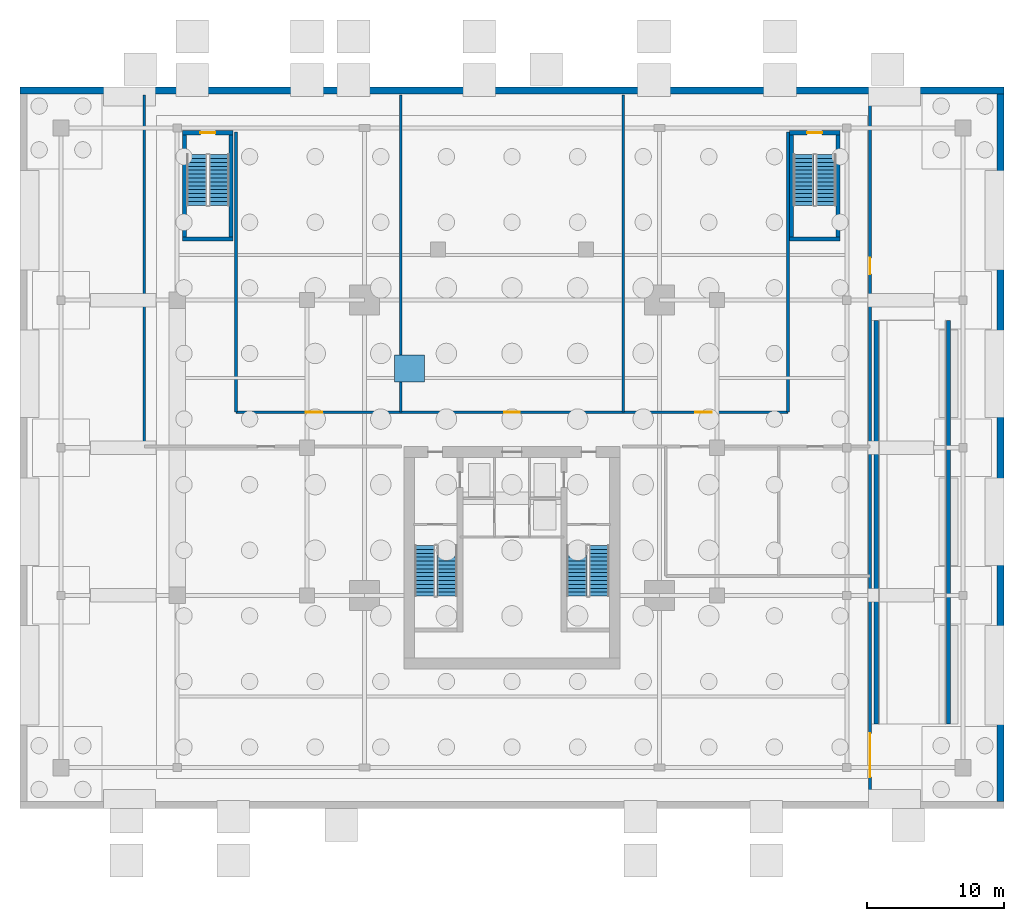
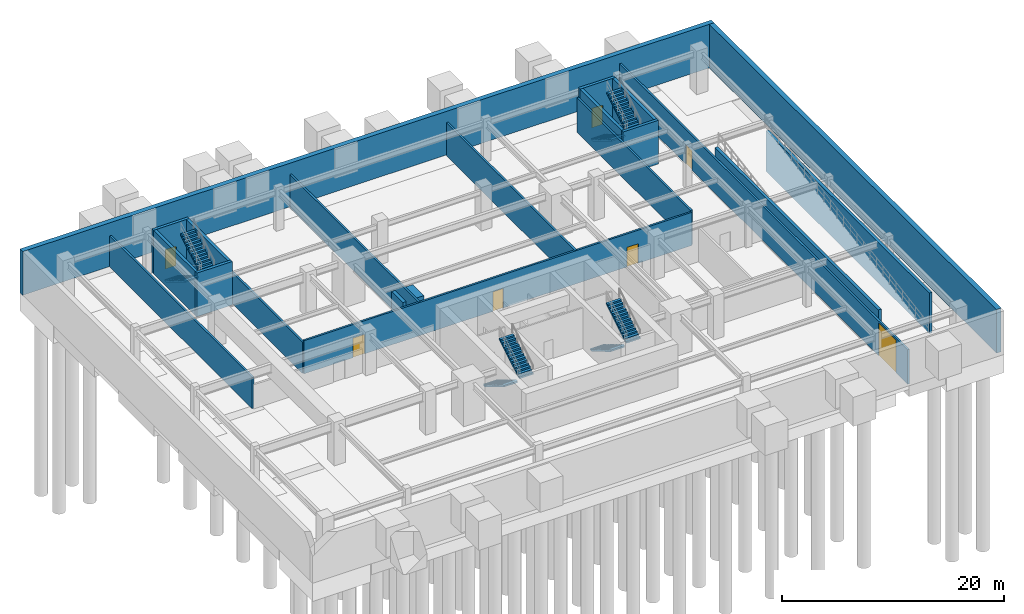
# One storey, part 5 of 9: 19 walls, 8 stair flights, 7 doors, 1 discrete accessory, 7 openings, 4 elements without a shape of their own.
"""IFC4 building model written with IfcOpenShell, lengths in metres."""

from ifc_helpers import new_model, si_unit, direction, frame, frame_2d, origin, origin_2d, place, context, subcontext, project, spatial, polyline, rectangle, outline, extrude, source, transform, mapped, material, layer, layer_set, type_object, type_shapes, element, fill, aggregate, save


model = new_model("IFC4")

# Units and contexts
model_context = context("Model", 3, precision=1e-05, world=origin(), true_north=direction((0.0, 1.0)))
body_context = subcontext(model_context, "Body", "Model", "MODEL_VIEW")
ifc_project = project(units=[si_unit("LENGTHUNIT", "METRE"), si_unit("AREAUNIT", "SQUARE_METRE"), si_unit("VOLUMEUNIT", "CUBIC_METRE"), si_unit("PLANEANGLEUNIT", "RADIAN"), si_unit("MASSUNIT", "GRAM", prefix="KILO")], contexts=[model_context])

# Site, building, storey
site_placement = place(None, origin())
site = spatial("IfcSite", under=ifc_project, at=site_placement, CompositionType="ELEMENT")
building_placement = place(site_placement, origin())
building = spatial("IfcBuilding", under=site, at=building_placement, Name="Krantzveldt Concourse Tower", CompositionType="ELEMENT")
storey_placement = place(building_placement, frame((0.0, 0.0, -4.800048828125)))
storey = spatial("IfcBuildingStorey", under=building, at=storey_placement, Name="B1", CompositionType="ELEMENT", Elevation=-4.800048828125)

# Wall, openings, doors
ifc_material_1 = material(Name="Fire-rated gypsum plasterboard on steel stud", Category="steel")
ifc_layer_1 = layer(ifc_material_1, 0.199951171875, Name="Fire-rated gypsum plasterboard on steel stud", Category="steel")
ifc_layer_set_1 = layer_set([ifc_layer_1], Name="Fire-rated gypsum plasterboard on steel stud (WL-PART-FR200)")
wall_type_1 = type_object("IfcWallType", Name="WL-PART-FR200", PredefinedType="PARTITIONING", material=ifc_layer_set_1)
wall_1_placement = place(storey_placement, frame((15.800048828125, 29.300048828125, 0.0), z_axis=(0.0, 0.0, 1.0), x_axis=(1.0, 0.0, 0.0)))
wall_1 = element("IfcWall", 1, at=wall_1_placement, inside=storey, type_object=wall_type_1, Name="WP-B1-C1", PredefinedType="PARTITIONING", context=body_context, shape_type="SweptSolid", body=[
    extrude(rectangle(XDim=40.39990234375, YDim=0.199951171875, at=frame_2d((20.199951171875, 0.0))), origin(), (0.0, 0.0, 1.0), 3.650146484375),
])
opening_1_placement = place(wall_1_placement, frame((5.10009765625, 0.0, 0.0)))
opening_1 = element("IfcOpeningElement", 2, at=opening_1_placement, cuts=wall_1, Name="Opening D-FD120", PredefinedType="OPENING", context=body_context, shape_type="SweptSolid", body=[
    extrude(rectangle(XDim=1.199951171875, YDim=2.14990234375, at=frame_2d((0.60009765625, 1.074951171875))), frame((0.0, 0.10986328125, 0.0), z_axis=(0.0, -1.0, 0.0), x_axis=(1.0, 0.0, 0.0)), (0.0, 0.0, 1.0), 0.219970703125),
])
opening_2_placement = place(wall_1_placement, frame((19.64990234375, 0.0, 0.0)))
opening_2 = element("IfcOpeningElement", 3, at=opening_2_placement, cuts=wall_1, Name="Opening D-FD110", PredefinedType="OPENING", context=body_context, shape_type="SweptSolid", body=[
    extrude(rectangle(XDim=1.10009765625, YDim=2.14990234375, at=frame_2d((0.550048828125, 1.074951171875))), frame((0.0, 0.10986328125, 0.0), z_axis=(0.0, -1.0, 0.0), x_axis=(1.0, 0.0, 0.0)), (0.0, 0.0, 1.0), 0.219970703125),
])
opening_3_placement = place(wall_1_placement, frame((33.60009765625, 0.0, 0.0)))
opening_3 = element("IfcOpeningElement", 4, at=opening_3_placement, cuts=wall_1, Name="Opening D-FD120", PredefinedType="OPENING", context=body_context, shape_type="SweptSolid", body=[
    extrude(rectangle(XDim=1.199951171875, YDim=2.14990234375, at=frame_2d((0.60009765625, 1.074951171875))), frame((0.0, 0.10986328125, 0.0), z_axis=(0.0, -1.0, 0.0), x_axis=(1.0, 0.0, 0.0)), (0.0, 0.0, 1.0), 0.219970703125),
])
ifc_material_2 = material(Name="Galvanised steel", Category="steel")
door_type_1 = type_object("IfcDoorType", Name="DR-FD120-1100", OperationType="SINGLE_SWING_LEFT", PredefinedType="DOOR", material=ifc_material_2)
door_1_placement = place(opening_2_placement, origin())
door_1 = element("IfcDoor", 5, at=door_1_placement, inside=storey, type_object=door_type_1, Name="DR-B1-CIST", OperationType="SINGLE_SWING_LEFT", OverallHeight=2.14990234375, OverallWidth=1.10009765625, PredefinedType="DOOR", context=body_context, shape_type="SweptSolid", body=[
    extrude(rectangle(XDim=1.10009765625, YDim=2.14990234375, at=frame_2d((0.550048828125, 1.074951171875))), frame((0.0, 0.02490234375, 0.0), z_axis=(0.0, -1.0, 0.0), x_axis=(1.0, 0.0, 0.0)), (0.0, 0.0, 1.0), 0.050048828125),
])
fill(opening_2, door_1)
door_type_2 = type_object("IfcDoorType", Name="DR-FD120-1200", OperationType="SINGLE_SWING_LEFT", PredefinedType="DOOR", material=ifc_material_2)
door_2_placement = place(opening_1_placement, origin())
door_2 = element("IfcDoor", 6, at=door_2_placement, inside=storey, type_object=door_type_2, Name="DR-B1-PWR", OperationType="SINGLE_SWING_RIGHT", OverallHeight=2.14990234375, OverallWidth=1.199951171875, PredefinedType="DOOR", context=body_context, shape_type="SweptSolid", body=[
    extrude(rectangle(XDim=1.199951171875, YDim=2.14990234375, at=frame_2d((0.60009765625, 1.074951171875))), frame((0.0, 0.02490234375, 0.0), z_axis=(0.0, -1.0, 0.0), x_axis=(1.0, 0.0, 0.0)), (0.0, 0.0, 1.0), 0.050048828125),
])
fill(opening_1, door_2)
door_3_placement = place(opening_3_placement, origin())
door_3 = element("IfcDoor", 7, at=door_3_placement, inside=storey, type_object=door_type_2, Name="DR-B1-SUB", OperationType="SINGLE_SWING_RIGHT", OverallHeight=2.14990234375, OverallWidth=1.199951171875, PredefinedType="DOOR", context=body_context, shape_type="SweptSolid", body=[
    extrude(rectangle(XDim=1.199951171875, YDim=2.14990234375, at=frame_2d((0.60009765625, 1.074951171875))), frame((0.0, 0.02490234375, 0.0), z_axis=(0.0, -1.0, 0.0), x_axis=(1.0, 0.0, 0.0)), (0.0, 0.0, 1.0), 0.050048828125),
])
fill(opening_3, door_3)

# Walls
wall_2_placement = place(storey_placement, frame((9.10009765625, 26.800048828125, 0.0), z_axis=(0.0, 0.0, 1.0), x_axis=(0.0, 1.0, 0.0)))
element("IfcWall", 8, at=wall_2_placement, inside=storey, type_object=wall_type_1, Name="WP-B1-WL", PredefinedType="PARTITIONING", context=body_context, shape_type="SweptSolid", body=[
    extrude(rectangle(XDim=25.699951171875, YDim=0.199951171875, at=frame_2d((12.85009765625, 0.0))), origin(), (0.0, 0.0, 1.0), 3.449951171875),
])
wall_3_placement = place(storey_placement, frame((15.800048828125, 29.300048828125, 0.0), z_axis=(0.0, 0.0, 1.0), x_axis=(0.0, 1.0, 0.0)))
element("IfcWall", 9, at=wall_3_placement, inside=storey, type_object=wall_type_1, Name="WP-B1-WR", PredefinedType="PARTITIONING", context=body_context, shape_type="SweptSolid", body=[
    extrude(rectangle(XDim=20.5, YDim=0.199951171875, at=frame_2d((10.25, 0.0))), origin(), (0.0, 0.0, 1.0), 3.449951171875),
])
wall_4_placement = place(storey_placement, frame((56.199951171875, 29.300048828125, 0.0), z_axis=(0.0, 0.0, 1.0), x_axis=(0.0, 1.0, 0.0)))
element("IfcWall", 10, at=wall_4_placement, inside=storey, type_object=wall_type_1, Name="WP-B1-EL", PredefinedType="PARTITIONING", context=body_context, shape_type="SweptSolid", body=[
    extrude(rectangle(XDim=20.5, YDim=0.199951171875, at=frame_2d((10.25, 0.0))), origin(), (0.0, 0.0, 1.0), 3.81005859375),
])

# Wall, openings, doors
wall_5_placement = place(storey_placement, frame((62.199951171875, 0.550048828125, 0.0), z_axis=(0.0, 0.0, 1.0), x_axis=(0.0, 1.0, 0.0)))
wall_5 = element("IfcWall", 11, at=wall_5_placement, inside=storey, type_object=wall_type_1, Name="WP-B1-ER", PredefinedType="PARTITIONING", context=body_context, shape_type="SweptSolid", body=[
    extrude(rectangle(XDim=51.949951171875, YDim=0.199951171875, at=frame_2d((25.97509765625, 0.0))), origin(), (0.0, 0.0, 1.0), 3.81005859375),
])
opening_4_placement = place(wall_5_placement, frame((2.050048828125, 0.0, 0.0)))
opening_4 = element("IfcOpeningElement", 12, at=opening_4_placement, cuts=wall_5, Name="Opening D-LD32", PredefinedType="OPENING", context=body_context, shape_type="SweptSolid", body=[
    extrude(rectangle(XDim=3.199951171875, YDim=3.60009765625, at=frame_2d((1.60009765625, 1.800048828125))), frame((0.0, 0.10986328125, 0.0), z_axis=(0.0, -1.0, 0.0), x_axis=(1.0, 0.0, 0.0)), (0.0, 0.0, 1.0), 0.219970703125),
])
opening_5_placement = place(wall_5_placement, frame((38.85009765625, 0.0, 0.0)))
opening_5 = element("IfcOpeningElement", 13, at=opening_5_placement, cuts=wall_5, Name="Opening D-FD120", PredefinedType="OPENING", context=body_context, shape_type="SweptSolid", body=[
    extrude(rectangle(XDim=1.199951171875, YDim=2.14990234375, at=frame_2d((0.60009765625, 1.074951171875))), frame((0.0, 0.10986328125, 0.0), z_axis=(0.0, -1.0, 0.0), x_axis=(1.0, 0.0, 0.0)), (0.0, 0.0, 1.0), 0.219970703125),
])
door_4_placement = place(opening_5_placement, origin())
door_4 = element("IfcDoor", 14, at=door_4_placement, inside=storey, type_object=door_type_2, Name="DR-B1-RAMP", OperationType="SINGLE_SWING_LEFT", OverallHeight=2.14990234375, OverallWidth=1.199951171875, PredefinedType="DOOR", context=body_context, shape_type="SweptSolid", body=[
    extrude(rectangle(XDim=1.199951171875, YDim=2.14990234375, at=frame_2d((0.60009765625, 1.074951171875))), frame((0.0, 0.02490234375, 0.0), z_axis=(0.0, -1.0, 0.0), x_axis=(1.0, 0.0, 0.0)), (0.0, 0.0, 1.0), 0.050048828125),
])
fill(opening_5, door_4)
ifc_material_3 = material(Name="Anodised aluminium 6063-T6", Category="aluminium")
door_type_3 = type_object("IfcDoorType", Name="DR-LOAD-3200", OperationType="ROLLINGUP", PredefinedType="GATE", material=ifc_material_3)
door_5_placement = place(opening_4_placement, origin())
door_5 = element("IfcDoor", 15, at=door_5_placement, inside=storey, type_object=door_type_3, Name="DR-B1-VEHGATE", OperationType="ROLLINGUP", OverallHeight=3.60009765625, OverallWidth=3.199951171875, PredefinedType="GATE", context=body_context, shape_type="SweptSolid", body=[
    extrude(rectangle(XDim=3.199951171875, YDim=3.60009765625, at=frame_2d((1.60009765625, 1.800048828125))), frame((0.0, 0.02490234375, 0.0), z_axis=(0.0, -1.0, 0.0), x_axis=(1.0, 0.0, 0.0)), (0.0, 0.0, 1.0), 0.050048828125),
])
fill(opening_4, door_5)

# Walls
for number, where, z_axis, x_axis, name in (
    (16, (27.85009765625, 29.300048828125, 0.0), (0.0, 0.0, 1.0), (0.0, 1.0, 0.0), "WP-B1-D1"),
    (17, (44.14990234375, 29.300048828125, 0.0), (0.0, 0.0, 1.0), (0.0, 1.0, 0.0), "WP-B1-D2"),
):
    element("IfcWall", number, at=place(storey_placement, frame(where, z_axis=z_axis, x_axis=x_axis)), inside=storey, type_object=wall_type_1, Name=name, PredefinedType="PARTITIONING", context=body_context, shape_type="SweptSolid", body=[
        extrude(rectangle(XDim=23.199951171875, YDim=0.199951171875, at=frame_2d((11.60009765625, 0.0))), origin(), (0.0, 0.0, 1.0), 3.650146484375),
    ])
ifc_material_4 = material(Name="Concrete C50/60", Category="concrete")
ifc_layer_2 = layer(ifc_material_4, 0.5, Name="Concrete C50/60", Category="concrete")
ifc_layer_set_2 = layer_set([ifc_layer_2], Name="Concrete C50/60 (WL-RET-500)")
wall_type_2 = type_object("IfcWallType", Name="WL-RET-500", PredefinedType="SOLIDWALL", material=ifc_layer_set_2)
wall_6_placement = place(storey_placement, frame((0.0, 52.85009765625, 0.0), z_axis=(0.0, 0.0, 1.0), x_axis=(1.0, 0.0, 0.0)))
element("IfcWall", 18, at=wall_6_placement, inside=storey, type_object=wall_type_2, Name="RW-B1-N", PredefinedType="SOLIDWALL", context=body_context, shape_type="SweptSolid", body=[
    extrude(rectangle(XDim=72.0, YDim=0.5, at=frame_2d((36.0, 0.0))), origin(), (0.0, 0.0, 1.0), 4.800048828125),
])
wall_7_placement = place(storey_placement, frame((71.75, 0.800048828125, 0.0), z_axis=(0.0, 0.0, 1.0), x_axis=(0.0, 1.0, 0.0)))
element("IfcWall", 19, at=wall_7_placement, inside=storey, type_object=wall_type_2, Name="RW-B1-E", PredefinedType="SOLIDWALL", context=body_context, shape_type="SweptSolid", body=[
    extrude(rectangle(XDim=51.800048828125, YDim=0.5, at=frame_2d((25.89990234375, 0.0))), origin(), (0.0, 0.0, 1.0), 4.800048828125),
])
ifc_layer_3 = layer(ifc_material_4, 0.300048828125, Name="Concrete C50/60", Category="concrete")
ifc_layer_set_3 = layer_set([ifc_layer_3], Name="Concrete C50/60 (WL-SHEAR-300)")
wall_type_3 = type_object("IfcWallType", Name="WL-SHEAR-300", PredefinedType="SHEAR", material=ifc_layer_set_3)
wall_8_placement = place(storey_placement, frame((11.89990234375, 41.969970703125, 0.0), z_axis=(0.0, 0.0, 1.0), x_axis=(1.0, 0.0, 0.0)))
element("IfcWall", 20, at=wall_8_placement, inside=storey, type_object=wall_type_3, Name="CW-B1-ST3-S", PredefinedType="SHEAR", context=body_context, shape_type="SweptSolid", body=[
    extrude(rectangle(XDim=3.7001953125, YDim=0.300048828125, at=frame_2d((1.85009765625, 0.0))), origin(), (0.0, 0.0, 1.0), 4.800048828125),
])

# Wall, opening, door
wall_9_placement = place(storey_placement, frame((15.60009765625, 49.75, 0.0), z_axis=(0.0, 0.0, 1.0), x_axis=(-1.0, 0.0, 0.0)))
wall_9 = element("IfcWall", 21, at=wall_9_placement, inside=storey, type_object=wall_type_3, Name="CW-B1-ST3-N", PredefinedType="SHEAR", context=body_context, shape_type="SweptSolid", body=[
    extrude(rectangle(XDim=3.7001953125, YDim=0.300048828125, at=frame_2d((1.85009765625, 0.0))), origin(), (0.0, 0.0, 1.0), 4.800048828125),
])
opening_6_placement = place(wall_9_placement, frame((1.300048828125, 0.0, 0.0)))
opening_6 = element("IfcOpeningElement", 22, at=opening_6_placement, cuts=wall_9, Name="Opening D-FD110", PredefinedType="OPENING", context=body_context, shape_type="SweptSolid", body=[
    extrude(rectangle(XDim=1.10009765625, YDim=2.14990234375, at=frame_2d((0.550048828125, 1.074951171875))), frame((0.0, 0.16015625, 0.0), z_axis=(0.0, -1.0, 0.0), x_axis=(1.0, 0.0, 0.0)), (0.0, 0.0, 1.0), 0.320068359375),
])
door_6_placement = place(opening_6_placement, origin())
door_6 = element("IfcDoor", 23, at=door_6_placement, inside=storey, type_object=door_type_1, Name="DR-B1-ST3", OperationType="SINGLE_SWING_LEFT", OverallHeight=2.14990234375, OverallWidth=1.10009765625, PredefinedType="DOOR", context=body_context, shape_type="SweptSolid", body=[
    extrude(rectangle(XDim=1.10009765625, YDim=2.14990234375, at=frame_2d((0.550048828125, 1.074951171875))), frame((0.0, 0.02490234375, 0.0), z_axis=(0.0, -1.0, 0.0), x_axis=(1.0, 0.0, 0.0)), (0.0, 0.0, 1.0), 0.050048828125),
])
fill(opening_6, door_6)

# Walls
for number, where, z_axis, x_axis, name in (
    (24, (12.050048828125, 42.1201171875, 0.0), (0.0, 0.0, 1.0), (0.0, 1.0, 0.0), "CW-B1-ST3-W"),
    (25, (15.449951171875, 42.1201171875, 0.0), (0.0, 0.0, 1.0), (0.0, 1.0, 0.0), "CW-B1-ST3-E"),
):
    element("IfcWall", number, at=place(storey_placement, frame(where, z_axis=z_axis, x_axis=x_axis)), inside=storey, type_object=wall_type_3, Name=name, PredefinedType="SHEAR", context=body_context, shape_type="SweptSolid", body=[
        extrude(rectangle(XDim=7.47998046875, YDim=0.300048828125, at=frame_2d((3.739990234375, 0.0))), origin(), (0.0, 0.0, 1.0), 4.800048828125),
    ])
wall_10_placement = place(storey_placement, frame((56.300048828125, 41.969970703125, 0.0), z_axis=(0.0, 0.0, 1.0), x_axis=(1.0, 0.0, 0.0)))
element("IfcWall", 26, at=wall_10_placement, inside=storey, type_object=wall_type_3, Name="CW-B1-ST4-S", PredefinedType="SHEAR", context=body_context, shape_type="SweptSolid", body=[
    extrude(rectangle(XDim=3.699951171875, YDim=0.300048828125, at=frame_2d((1.85009765625, 0.0))), origin(), (0.0, 0.0, 1.0), 4.800048828125),
])

# Wall, opening, door
wall_11_placement = place(storey_placement, frame((60.0, 49.75, 0.0), z_axis=(0.0, 0.0, 1.0), x_axis=(-1.0, 0.0, 0.0)))
wall_11 = element("IfcWall", 27, at=wall_11_placement, inside=storey, type_object=wall_type_3, Name="CW-B1-ST4-N", PredefinedType="SHEAR", context=body_context, shape_type="SweptSolid", body=[
    extrude(rectangle(XDim=3.699951171875, YDim=0.300048828125, at=frame_2d((1.85009765625, 0.0))), origin(), (0.0, 0.0, 1.0), 4.800048828125),
])
opening_7_placement = place(wall_11_placement, frame((1.300048828125, 0.0, 0.0)))
opening_7 = element("IfcOpeningElement", 28, at=opening_7_placement, cuts=wall_11, Name="Opening D-FD110", PredefinedType="OPENING", context=body_context, shape_type="SweptSolid", body=[
    extrude(rectangle(XDim=1.10009765625, YDim=2.14990234375, at=frame_2d((0.550048828125, 1.074951171875))), frame((0.0, 0.16015625, 0.0), z_axis=(0.0, -1.0, 0.0), x_axis=(1.0, 0.0, 0.0)), (0.0, 0.0, 1.0), 0.320068359375),
])
door_7_placement = place(opening_7_placement, origin())
door_7 = element("IfcDoor", 29, at=door_7_placement, inside=storey, type_object=door_type_1, Name="DR-B1-ST4", OperationType="SINGLE_SWING_LEFT", OverallHeight=2.14990234375, OverallWidth=1.10009765625, PredefinedType="DOOR", context=body_context, shape_type="SweptSolid", body=[
    extrude(rectangle(XDim=1.10009765625, YDim=2.14990234375, at=frame_2d((0.550048828125, 1.074951171875))), frame((0.0, 0.02490234375, 0.0), z_axis=(0.0, -1.0, 0.0), x_axis=(1.0, 0.0, 0.0)), (0.0, 0.0, 1.0), 0.050048828125),
])
fill(opening_7, door_7)

# Walls
for number, where, z_axis, x_axis, name in (
    (30, (56.449951171875, 42.1201171875, 0.0), (0.0, 0.0, 1.0), (0.0, 1.0, 0.0), "CW-B1-ST4-W"),
    (31, (59.85009765625, 42.1201171875, 0.0), (0.0, 0.0, 1.0), (0.0, 1.0, 0.0), "CW-B1-ST4-E"),
):
    element("IfcWall", number, at=place(storey_placement, frame(where, z_axis=z_axis, x_axis=x_axis)), inside=storey, type_object=wall_type_3, Name=name, PredefinedType="SHEAR", context=body_context, shape_type="SweptSolid", body=[
        extrude(rectangle(XDim=7.47998046875, YDim=0.300048828125, at=frame_2d((3.739990234375, 0.0))), origin(), (0.0, 0.0, 1.0), 4.800048828125),
    ])
for number, where, z_axis, x_axis, name in (
    (32, (62.64990234375, 6.5, 0.0), (0.0, 0.0, 1.0), (0.0, 1.0, 0.0), "Basement Vehicle Ramp Support Wall West"),
    (33, (67.949951171875, 6.5, 0.0), (0.0, 0.0, 1.0), (0.0, 1.0, 0.0), "Basement Vehicle Ramp Support Wall East"),
):
    element("IfcWall", number, at=place(storey_placement, frame(where, z_axis=z_axis, x_axis=x_axis)), inside=storey, type_object=wall_type_3, Name=name, PredefinedType="SHEAR", context=body_context, shape_type="SweptSolid", body=[
        extrude(rectangle(XDim=29.5, YDim=0.300048828125, at=frame_2d((14.75, 0.0))), origin(), (0.0, 0.0, 1.0), 4.449951171875),
    ])

# Stair, stair flights
ifc_material_5 = material(Name="Precast concrete C40/50", Category="concrete")
stair_type = type_object("IfcStairType", Name="STR-CORE-DOGLEG", PredefinedType="HALF_TURN_STAIR", material=ifc_material_5)
stair_1_placement = place(storey_placement, origin())
stair_1 = element("IfcStair", 34, at=stair_1_placement, inside=storey, type_object=stair_type, Name="B1 Protected Escape Stair ST-1", PredefinedType="HALF_TURN_STAIR")
stair_flight_type = type_object("IfcStairFlightType", Name="STF-CORE-1450", PredefinedType="STRAIGHT", material=ifc_material_5)
stair_flight_1_placement = place(storey_placement, frame((29.60498046875, 19.550048828125, 0.0), z_axis=(0.0, 0.0, 1.0), x_axis=(0.0, -1.0, 0.0)))
stair_flight_1 = element("IfcStairFlight", 35, at=stair_flight_1_placement, type_object=stair_flight_type, Name="ST-1 flight 1", NumberOfRisers=14, NumberOfTreads=13, PredefinedType="STRAIGHT", RiserHeight=0.171428571, TreadLength=0.285, context=body_context, shape_type="SweptSolid", body=[
    extrude(outline(polyline([(0.0, 0.0), (0.0, 0.17138671875), (0.284912109375, 0.17138671875), (0.284912109375, 0.3427734375), (0.570068359375, 0.3427734375), (0.570068359375, 0.514404296875), (0.85498046875, 0.514404296875), (0.85498046875, 0.685791015625), (1.139892578125, 0.685791015625), (1.139892578125, 0.857177734375), (1.425048828125, 0.857177734375), (1.425048828125, 1.028564453125), (1.7099609375, 1.028564453125), (1.7099609375, 1.199951171875), (1.9951171875, 1.199951171875), (1.9951171875, 1.371337890625), (2.280029296875, 1.371337890625), (2.280029296875, 1.54296875), (2.56494140625, 1.54296875), (2.56494140625, 1.71435546875), (2.85009765625, 1.71435546875), (2.85009765625, 1.8857421875), (3.135009765625, 1.8857421875), (3.135009765625, 2.05712890625), (3.419921875, 2.05712890625), (3.419921875, 2.228515625), (3.705078125, 2.228515625), (3.705078125, 2.39990234375), (3.705078125, 2.0537109375), (0.290771484375, 0.0), (0.0, 0.0)])), frame((0.0, 0.72509765625, 0.0), z_axis=(0.0, -1.0, 0.0), x_axis=(1.0, 0.0, 0.0)), (0.0, 0.0, 1.0), 1.449951171875),
])
stair_flight_2_placement = place(storey_placement, frame((31.2548828125, 15.844970703125, 2.400146484375), z_axis=(0.0, 0.0, 1.0), x_axis=(0.0, 1.0, 0.0)))
stair_flight_2 = element("IfcStairFlight", 36, at=stair_flight_2_placement, type_object=stair_flight_type, Name="ST-1 flight 2", NumberOfRisers=14, NumberOfTreads=13, PredefinedType="STRAIGHT", RiserHeight=0.171428571, TreadLength=0.285, context=body_context, shape_type="SweptSolid", body=[
    extrude(outline(polyline([(0.0, 0.0), (0.0, 0.17138671875), (0.284912109375, 0.17138671875), (0.284912109375, 0.3427734375), (0.570068359375, 0.3427734375), (0.570068359375, 0.514404296875), (0.85498046875, 0.514404296875), (0.85498046875, 0.685791015625), (1.139892578125, 0.685791015625), (1.139892578125, 0.857177734375), (1.425048828125, 0.857177734375), (1.425048828125, 1.028564453125), (1.7099609375, 1.028564453125), (1.7099609375, 1.199951171875), (1.9951171875, 1.199951171875), (1.9951171875, 1.371337890625), (2.280029296875, 1.371337890625), (2.280029296875, 1.54296875), (2.56494140625, 1.54296875), (2.56494140625, 1.71435546875), (2.85009765625, 1.71435546875), (2.85009765625, 1.8857421875), (3.135009765625, 1.8857421875), (3.135009765625, 2.05712890625), (3.419921875, 2.05712890625), (3.419921875, 2.228515625), (3.705078125, 2.228515625), (3.705078125, 2.39990234375), (3.705078125, 2.0537109375), (0.290771484375, 0.0), (0.0, 0.0)])), frame((0.0, 0.72509765625, 0.0), z_axis=(0.0, -1.0, 0.0), x_axis=(1.0, 0.0, 0.0)), (0.0, 0.0, 1.0), 1.449951171875),
])
aggregate(stair_1, [stair_flight_1, stair_flight_2])

stair_2_placement = place(storey_placement, origin())
stair_2 = element("IfcStair", 37, at=stair_2_placement, inside=storey, type_object=stair_type, Name="B1 Protected Escape Stair ST-2", PredefinedType="HALF_TURN_STAIR")
stair_flight_3_placement = place(storey_placement, frame((40.7451171875, 19.550048828125, 0.0), z_axis=(0.0, 0.0, 1.0), x_axis=(0.0, -1.0, 0.0)))
stair_flight_3 = element("IfcStairFlight", 38, at=stair_flight_3_placement, type_object=stair_flight_type, Name="ST-2 flight 1", NumberOfRisers=14, NumberOfTreads=13, PredefinedType="STRAIGHT", RiserHeight=0.171428571, TreadLength=0.285, context=body_context, shape_type="SweptSolid", body=[
    extrude(outline(polyline([(0.0, 0.0), (0.0, 0.17138671875), (0.284912109375, 0.17138671875), (0.284912109375, 0.3427734375), (0.570068359375, 0.3427734375), (0.570068359375, 0.514404296875), (0.85498046875, 0.514404296875), (0.85498046875, 0.685791015625), (1.139892578125, 0.685791015625), (1.139892578125, 0.857177734375), (1.425048828125, 0.857177734375), (1.425048828125, 1.028564453125), (1.7099609375, 1.028564453125), (1.7099609375, 1.199951171875), (1.9951171875, 1.199951171875), (1.9951171875, 1.371337890625), (2.280029296875, 1.371337890625), (2.280029296875, 1.54296875), (2.56494140625, 1.54296875), (2.56494140625, 1.71435546875), (2.85009765625, 1.71435546875), (2.85009765625, 1.8857421875), (3.135009765625, 1.8857421875), (3.135009765625, 2.05712890625), (3.419921875, 2.05712890625), (3.419921875, 2.228515625), (3.705078125, 2.228515625), (3.705078125, 2.39990234375), (3.705078125, 2.0537109375), (0.290771484375, 0.0), (0.0, 0.0)])), frame((0.0, 0.72509765625, 0.0), z_axis=(0.0, -1.0, 0.0), x_axis=(1.0, 0.0, 0.0)), (0.0, 0.0, 1.0), 1.449951171875),
])
stair_flight_4_placement = place(storey_placement, frame((42.39501953125, 15.844970703125, 2.400146484375), z_axis=(0.0, 0.0, 1.0), x_axis=(0.0, 1.0, 0.0)))
stair_flight_4 = element("IfcStairFlight", 39, at=stair_flight_4_placement, type_object=stair_flight_type, Name="ST-2 flight 2", NumberOfRisers=14, NumberOfTreads=13, PredefinedType="STRAIGHT", RiserHeight=0.171428571, TreadLength=0.285, context=body_context, shape_type="SweptSolid", body=[
    extrude(outline(polyline([(0.0, 0.0), (0.0, 0.17138671875), (0.284912109375, 0.17138671875), (0.284912109375, 0.3427734375), (0.570068359375, 0.3427734375), (0.570068359375, 0.514404296875), (0.85498046875, 0.514404296875), (0.85498046875, 0.685791015625), (1.139892578125, 0.685791015625), (1.139892578125, 0.857177734375), (1.425048828125, 0.857177734375), (1.425048828125, 1.028564453125), (1.7099609375, 1.028564453125), (1.7099609375, 1.199951171875), (1.9951171875, 1.199951171875), (1.9951171875, 1.371337890625), (2.280029296875, 1.371337890625), (2.280029296875, 1.54296875), (2.56494140625, 1.54296875), (2.56494140625, 1.71435546875), (2.85009765625, 1.71435546875), (2.85009765625, 1.8857421875), (3.135009765625, 1.8857421875), (3.135009765625, 2.05712890625), (3.419921875, 2.05712890625), (3.419921875, 2.228515625), (3.705078125, 2.228515625), (3.705078125, 2.39990234375), (3.705078125, 2.0537109375), (0.290771484375, 0.0), (0.0, 0.0)])), frame((0.0, 0.72509765625, 0.0), z_axis=(0.0, -1.0, 0.0), x_axis=(1.0, 0.0, 0.0)), (0.0, 0.0, 1.0), 1.449951171875),
])
aggregate(stair_2, [stair_flight_3, stair_flight_4])

stair_3_placement = place(storey_placement, origin())
stair_3 = element("IfcStair", 40, at=stair_3_placement, inside=storey, type_object=stair_type, Name="B1 Podium Escape Stair ST-3", PredefinedType="HALF_TURN_STAIR")
stair_flight_5_placement = place(storey_placement, frame((12.925048828125, 48.14990234375, 0.0), z_axis=(0.0, 0.0, 1.0), x_axis=(0.0, -1.0, 0.0)))
stair_flight_5 = element("IfcStairFlight", 41, at=stair_flight_5_placement, type_object=stair_flight_type, Name="ST-3 flight 1", NumberOfRisers=14, NumberOfTreads=13, PredefinedType="STRAIGHT", RiserHeight=0.171428571, TreadLength=0.285, context=body_context, shape_type="SweptSolid", body=[
    extrude(outline(polyline([(0.0, 0.0), (0.0, 0.17138671875), (0.284912109375, 0.17138671875), (0.284912109375, 0.3427734375), (0.570068359375, 0.3427734375), (0.570068359375, 0.514404296875), (0.85498046875, 0.514404296875), (0.85498046875, 0.685791015625), (1.139892578125, 0.685791015625), (1.139892578125, 0.857177734375), (1.425048828125, 0.857177734375), (1.425048828125, 1.028564453125), (1.7099609375, 1.028564453125), (1.7099609375, 1.199951171875), (1.9951171875, 1.199951171875), (1.9951171875, 1.371337890625), (2.280029296875, 1.371337890625), (2.280029296875, 1.54296875), (2.56494140625, 1.54296875), (2.56494140625, 1.71435546875), (2.85009765625, 1.71435546875), (2.85009765625, 1.8857421875), (3.135009765625, 1.8857421875), (3.135009765625, 2.05712890625), (3.419921875, 2.05712890625), (3.419921875, 2.228515625), (3.705078125, 2.228515625), (3.705078125, 2.39990234375), (3.705078125, 2.0537109375), (0.290771484375, 0.0), (0.0, 0.0)])), frame((0.0, 0.72509765625, 0.0), z_axis=(0.0, -1.0, 0.0), x_axis=(1.0, 0.0, 0.0)), (0.0, 0.0, 1.0), 1.449951171875),
])
stair_flight_6_placement = place(storey_placement, frame((14.574951171875, 44.445068359375, 2.400146484375), z_axis=(0.0, 0.0, 1.0), x_axis=(0.0, 1.0, 0.0)))
stair_flight_6 = element("IfcStairFlight", 42, at=stair_flight_6_placement, type_object=stair_flight_type, Name="ST-3 flight 2", NumberOfRisers=14, NumberOfTreads=13, PredefinedType="STRAIGHT", RiserHeight=0.171428571, TreadLength=0.285, context=body_context, shape_type="SweptSolid", body=[
    extrude(outline(polyline([(0.0, 0.0), (0.0, 0.17138671875), (0.284912109375, 0.17138671875), (0.284912109375, 0.3427734375), (0.570068359375, 0.3427734375), (0.570068359375, 0.514404296875), (0.85498046875, 0.514404296875), (0.85498046875, 0.685791015625), (1.139892578125, 0.685791015625), (1.139892578125, 0.857177734375), (1.425048828125, 0.857177734375), (1.425048828125, 1.028564453125), (1.7099609375, 1.028564453125), (1.7099609375, 1.199951171875), (1.9951171875, 1.199951171875), (1.9951171875, 1.371337890625), (2.280029296875, 1.371337890625), (2.280029296875, 1.54296875), (2.56494140625, 1.54296875), (2.56494140625, 1.71435546875), (2.85009765625, 1.71435546875), (2.85009765625, 1.8857421875), (3.135009765625, 1.8857421875), (3.135009765625, 2.05712890625), (3.419921875, 2.05712890625), (3.419921875, 2.228515625), (3.705078125, 2.228515625), (3.705078125, 2.39990234375), (3.705078125, 2.0537109375), (0.290771484375, 0.0), (0.0, 0.0)])), frame((0.0, 0.72509765625, 0.0), z_axis=(0.0, -1.0, 0.0), x_axis=(1.0, 0.0, 0.0)), (0.0, 0.0, 1.0), 1.449951171875),
])
aggregate(stair_3, [stair_flight_5, stair_flight_6])

stair_4_placement = place(storey_placement, origin())
stair_4 = element("IfcStair", 43, at=stair_4_placement, inside=storey, type_object=stair_type, Name="B1 Podium Escape Stair ST-4", PredefinedType="HALF_TURN_STAIR")
stair_flight_7_placement = place(storey_placement, frame((57.324951171875, 48.14990234375, 0.0), z_axis=(0.0, 0.0, 1.0), x_axis=(0.0, -1.0, 0.0)))
stair_flight_7 = element("IfcStairFlight", 44, at=stair_flight_7_placement, type_object=stair_flight_type, Name="ST-4 flight 1", NumberOfRisers=14, NumberOfTreads=13, PredefinedType="STRAIGHT", RiserHeight=0.171428571, TreadLength=0.285, context=body_context, shape_type="SweptSolid", body=[
    extrude(outline(polyline([(0.0, 0.0), (0.0, 0.17138671875), (0.284912109375, 0.17138671875), (0.284912109375, 0.3427734375), (0.570068359375, 0.3427734375), (0.570068359375, 0.514404296875), (0.85498046875, 0.514404296875), (0.85498046875, 0.685791015625), (1.139892578125, 0.685791015625), (1.139892578125, 0.857177734375), (1.425048828125, 0.857177734375), (1.425048828125, 1.028564453125), (1.7099609375, 1.028564453125), (1.7099609375, 1.199951171875), (1.9951171875, 1.199951171875), (1.9951171875, 1.371337890625), (2.280029296875, 1.371337890625), (2.280029296875, 1.54296875), (2.56494140625, 1.54296875), (2.56494140625, 1.71435546875), (2.85009765625, 1.71435546875), (2.85009765625, 1.8857421875), (3.135009765625, 1.8857421875), (3.135009765625, 2.05712890625), (3.419921875, 2.05712890625), (3.419921875, 2.228515625), (3.705078125, 2.228515625), (3.705078125, 2.39990234375), (3.705078125, 2.0537109375), (0.290771484375, 0.0), (0.0, 0.0)])), frame((0.0, 0.72509765625, 0.0), z_axis=(0.0, -1.0, 0.0), x_axis=(1.0, 0.0, 0.0)), (0.0, 0.0, 1.0), 1.449951171875),
])
stair_flight_8_placement = place(storey_placement, frame((58.97509765625, 44.445068359375, 2.400146484375), z_axis=(0.0, 0.0, 1.0), x_axis=(0.0, 1.0, 0.0)))
stair_flight_8 = element("IfcStairFlight", 45, at=stair_flight_8_placement, type_object=stair_flight_type, Name="ST-4 flight 2", NumberOfRisers=14, NumberOfTreads=13, PredefinedType="STRAIGHT", RiserHeight=0.171428571, TreadLength=0.285, context=body_context, shape_type="SweptSolid", body=[
    extrude(outline(polyline([(0.0, 0.0), (0.0, 0.17138671875), (0.284912109375, 0.17138671875), (0.284912109375, 0.3427734375), (0.570068359375, 0.3427734375), (0.570068359375, 0.514404296875), (0.85498046875, 0.514404296875), (0.85498046875, 0.685791015625), (1.139892578125, 0.685791015625), (1.139892578125, 0.857177734375), (1.425048828125, 0.857177734375), (1.425048828125, 1.028564453125), (1.7099609375, 1.028564453125), (1.7099609375, 1.199951171875), (1.9951171875, 1.199951171875), (1.9951171875, 1.371337890625), (2.280029296875, 1.371337890625), (2.280029296875, 1.54296875), (2.56494140625, 1.54296875), (2.56494140625, 1.71435546875), (2.85009765625, 1.71435546875), (2.85009765625, 1.8857421875), (3.135009765625, 1.8857421875), (3.135009765625, 2.05712890625), (3.419921875, 2.05712890625), (3.419921875, 2.228515625), (3.705078125, 2.228515625), (3.705078125, 2.39990234375), (3.705078125, 2.0537109375), (0.290771484375, 0.0), (0.0, 0.0)])), frame((0.0, 0.72509765625, 0.0), z_axis=(0.0, -1.0, 0.0), x_axis=(1.0, 0.0, 0.0)), (0.0, 0.0, 1.0), 1.449951171875),
])
aggregate(stair_4, [stair_flight_7, stair_flight_8])

# Discrete accessory
discrete_accessory_type = type_object("IfcDiscreteAccessoryType", Name="EQ-CHILLER-SKID", PredefinedType="USERDEFINED", material=ifc_material_2)
shared_shape = source(origin(), body_context, "Body", "SweptSolid", [
    extrude(rectangle(XDim=2.199951171875, YDim=2.0, at=origin_2d()), origin(), (0.0, 0.0, 1.0), 2.39990234375),
])
type_shapes(discrete_accessory_type, [shared_shape])
discrete_accessory_placement = place(storey_placement, frame((28.5, 32.5, 0.0), z_axis=(0.0, 0.0, 1.0), x_axis=(1.0, 0.0, 0.0)))
element("IfcDiscreteAccessory", 46, at=discrete_accessory_placement, inside=storey, type_object=discrete_accessory_type, Name="EQ-B1-CHL1", ObjectType="CHILLER SKID", PredefinedType="USERDEFINED", context=body_context, shape_type="MappedRepresentation", body=[
    mapped(shared_shape, transform((0.0, 0.0, 0.0), x_axis=(1.0, 0.0, 0.0), y_axis=(0.0, 1.0, 0.0), z_axis=(0.0, 0.0, 1.0), scale=1.0)),
])

save(model, "model.ifc")
